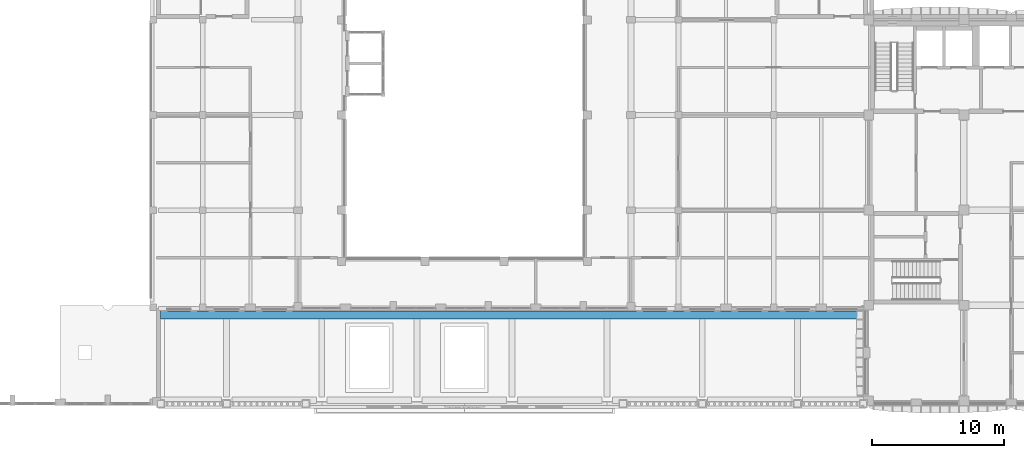
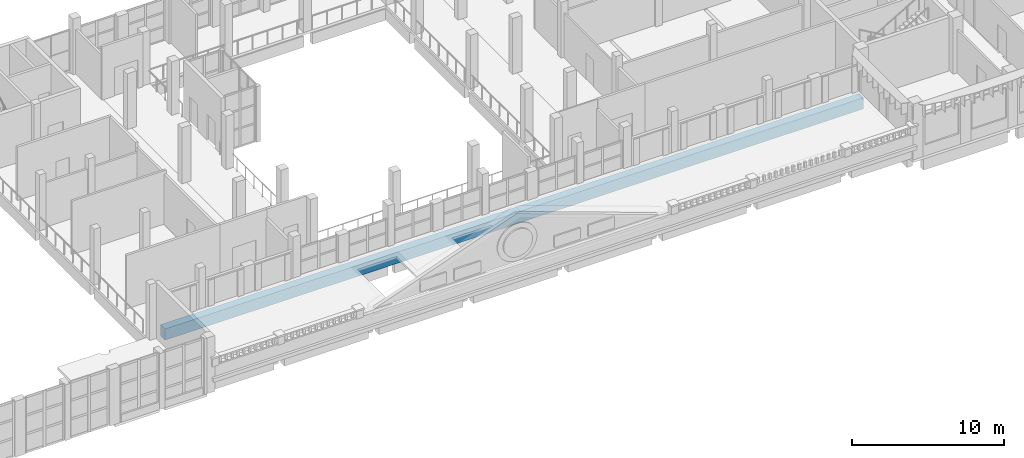
# One storey, part 6 of 58: 1 beam.
"""IFC4 building model written with IfcOpenShell, lengths in metres."""

from ifc_helpers import new_model, si_unit, direction, frame, origin, origin_2d, place, context, subcontext, project, spatial, rectangle, extrude, material, material_profile, profile_set, type_object, element, save


model = new_model("IFC4")

# Units and contexts
model_context = context("Model", 3, precision=1e-05, world=origin(), true_north=direction((0.0, 1.0)))
body_context = subcontext(model_context, "Body", "Model", "MODEL_VIEW")
ifc_project = project(units=[si_unit("LENGTHUNIT", "METRE"), si_unit("AREAUNIT", "SQUARE_METRE"), si_unit("VOLUMEUNIT", "CUBIC_METRE"), si_unit("PLANEANGLEUNIT", "RADIAN"), si_unit("MASSUNIT", "GRAM", prefix="KILO")], contexts=[model_context])

# Site, building, storey
site_placement = place(None, origin())
site = spatial("IfcSite", under=ifc_project, at=site_placement, CompositionType="ELEMENT")
building_placement = place(site_placement, origin())
building = spatial("IfcBuilding", under=site, at=building_placement, Name="Ussher Court Research Institute", CompositionType="ELEMENT")
storey_placement = place(building_placement, frame((0.0, 0.0, 9.89990234375)))
storey = spatial("IfcBuildingStorey", under=building, at=storey_placement, Name="L02", CompositionType="ELEMENT", Elevation=9.89990234375)

# Beam
ifc_material = material(Name="Concrete C35/45", Category="concrete")
ifc_material_profile = material_profile(ifc_material, rectangle(XDim=0.60009765625, YDim=0.89990234375, at=origin_2d()), Name="RC 600x900")
ifc_profile_set = profile_set([ifc_material_profile], Name="Concrete C35/45")
beam_type = type_object("IfcBeamType", Name="RC 600x900 beam", PredefinedType="BEAM", material=ifc_profile_set)
beam_placement = place(storey_placement, frame((28.60009765625, 10.449951171875, 0.590087890625), z_axis=(1.0, 0.0, 0.0), x_axis=(0.0, 1.0, 0.0)))
element("IfcBeam", 1, at=beam_placement, inside=storey, type_object=beam_type, Name="B13 V6 L02-01", PredefinedType="BEAM", context=body_context, shape_type="SweptSolid", body=[
    extrude(rectangle(XDim=0.60009765625, YDim=0.89990234375, at=origin_2d()), origin(), (0.0, 0.0, 1.0), 53.199951171875),
])

save(model, "model.ifc")
